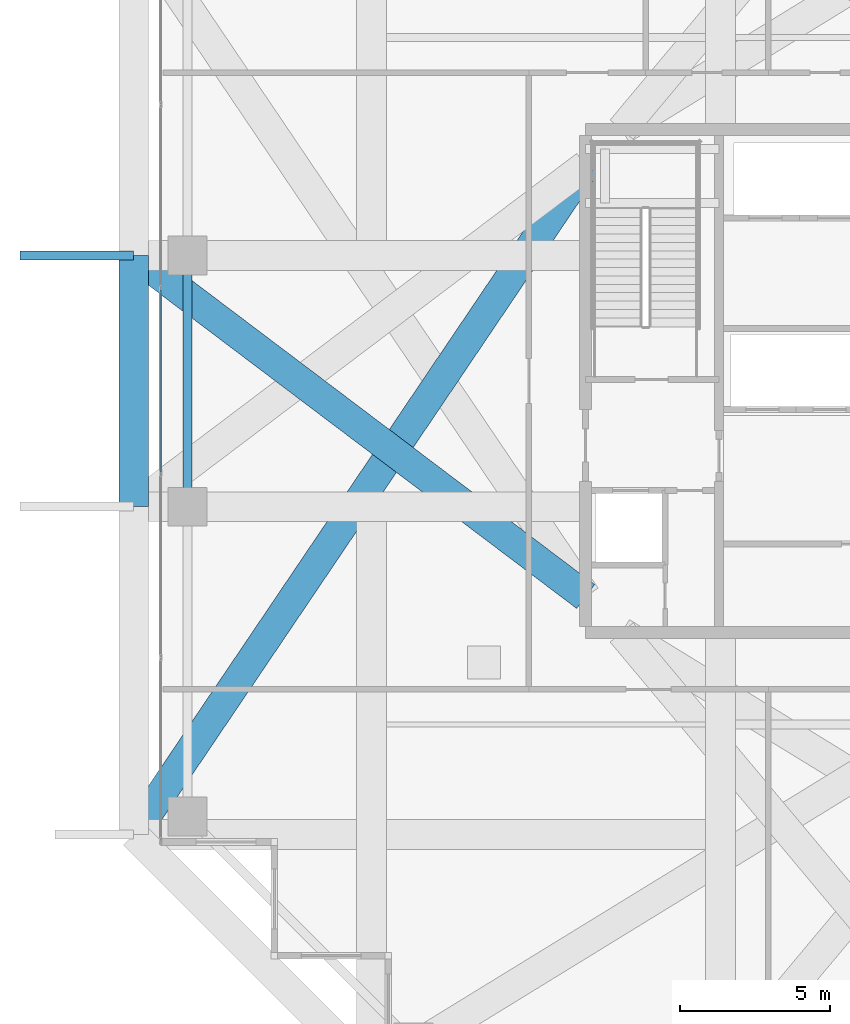
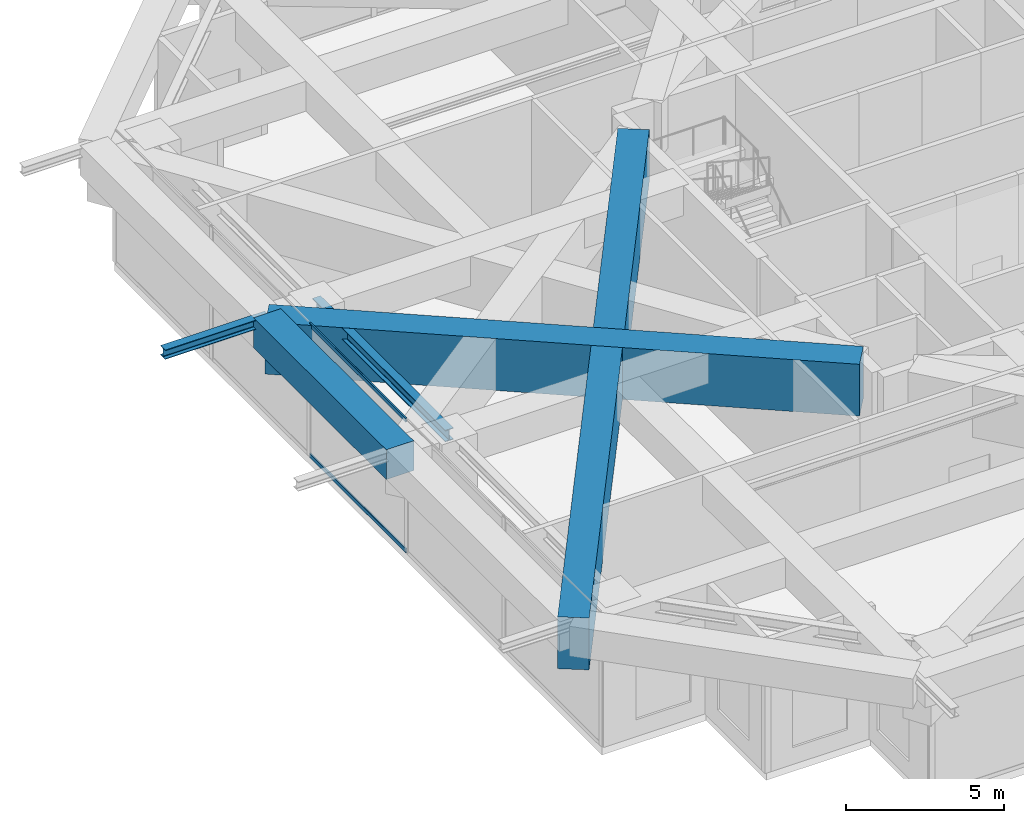
# One storey, part 8 of 38: 5 beams, 2 members, 1 element without a shape of its own.
"""IFC4 building model written with IfcOpenShell, lengths in metres."""

from ifc_helpers import new_model, si_unit, direction, frame, origin, origin_2d, place, context, subcontext, project, spatial, rectangle, hollow_rectangle, i_section, extrude, source, transform, mapped, material, layer, layer_set, material_profile, profile_set, type_object, element, aggregate, save


model = new_model("IFC4")

# Units and contexts
model_context = context("Model", 3, precision=1e-05, world=origin(), true_north=direction((0.0, 1.0)))
body_context = subcontext(model_context, "Body", "Model", "MODEL_VIEW")
ifc_project = project(units=[si_unit("LENGTHUNIT", "METRE"), si_unit("AREAUNIT", "SQUARE_METRE"), si_unit("VOLUMEUNIT", "CUBIC_METRE"), si_unit("PLANEANGLEUNIT", "RADIAN"), si_unit("MASSUNIT", "GRAM", prefix="KILO")], contexts=[model_context])

# Site, building, storey
site_placement = place(None, origin())
site = spatial("IfcSite", under=ifc_project, at=site_placement, CompositionType="ELEMENT")
building_placement = place(site_placement, origin())
building = spatial("IfcBuilding", under=site, at=building_placement, Name="Serunith Strait Residences", CompositionType="ELEMENT")
storey_placement = place(building_placement, frame((0.0, 0.0, 204.89990234375)))
storey = spatial("IfcBuildingStorey", under=building, at=storey_placement, Name="L51", CompositionType="ELEMENT", Elevation=204.89990234375)

# Beams
ifc_material_1 = material(Name="Steel S355J2", Category="steel")
ifc_material_profile_1 = material_profile(ifc_material_1, i_section(OverallWidth=0.300048828125, OverallDepth=0.449951171875, WebThickness=0.013916015625, FlangeThickness=0.02587890625, FilletRadius=0.027099609375, at=origin_2d()), Name="HEB 450")
ifc_profile_set_1 = profile_set([ifc_material_profile_1], Name="Steel S355J2")
beam_type_1 = type_object("IfcBeamType", Name="BM-HEB450", PredefinedType="BEAM", material=ifc_profile_set_1)
shared_shape_1 = source(origin(), body_context, "Body", "SweptSolid", [
    extrude(i_section(OverallWidth=0.300048828125, OverallDepth=0.449951171875, WebThickness=0.013916015625, FlangeThickness=0.02587890625, FilletRadius=0.027099609375, at=origin_2d()), origin(), (0.0, 0.0, 1.0), 8.39990234375),
])
beam_1_placement = place(storey_placement, frame((10.10009765625, 29.39990234375, 4.882080078125), z_axis=(0.0, -1.0, 0.0), x_axis=(1.0, 0.0, 0.0)))
element("IfcBeam", 1, at=beam_1_placement, inside=storey, type_object=beam_type_1, Name="L51 Perimeter Ring Beam 14", PredefinedType="BEAM", context=body_context, shape_type="MappedRepresentation", body=[
    mapped(shared_shape_1, transform((0.0, 0.0, 0.0), scale=1.0)),
])
ifc_material_2 = material(Name="Concrete C80/95", Category="concrete")
ifc_material_profile_2 = material_profile(ifc_material_2, rectangle(XDim=1.0, YDim=1.14990234375, at=origin_2d()), Name="RC 1000x1150")
ifc_profile_set_2 = profile_set([ifc_material_profile_2], Name="Concrete C80/95")
beam_type_2 = type_object("IfcBeamType", Name="BM-XFER-1000x1150", PredefinedType="BEAM", material=ifc_profile_set_2)
shared_shape_2 = source(origin(), body_context, "Body", "SweptSolid", [
    extrude(rectangle(XDim=1.0, YDim=1.14990234375, at=origin_2d()), origin(), (0.0, 0.0, 1.0), 8.39990234375),
])
beam_2_placement = place(storey_placement, frame((8.300048828125, 29.39990234375, 4.53515625), z_axis=(0.0, -1.0, 0.0), x_axis=(1.0, 0.0, 0.0)))
element("IfcBeam", 2, at=beam_2_placement, inside=storey, type_object=beam_type_2, Name="L51 Flare Upper Ring Transfer Girder 14", PredefinedType="BEAM", context=body_context, shape_type="MappedRepresentation", body=[
    mapped(shared_shape_2, transform((0.0, 0.0, 0.0), scale=1.0)),
])
ifc_material_profile_3 = material_profile(ifc_material_1, i_section(OverallWidth=0.300048828125, OverallDepth=0.360107421875, WebThickness=0.012451171875, FlangeThickness=0.0224609375, FilletRadius=0.027099609375, at=origin_2d()), Name="HEB 360")
ifc_profile_set_3 = profile_set([ifc_material_profile_3], Name="Steel S355J2")
beam_type_3 = type_object("IfcBeamType", Name="BM-HEB360", PredefinedType="BEAM", material=ifc_profile_set_3)
shared_shape_3 = source(origin(), body_context, "Body", "SweptSolid", [
    extrude(i_section(OverallWidth=0.300048828125, OverallDepth=0.360107421875, WebThickness=0.012451171875, FlangeThickness=0.0224609375, FilletRadius=0.027099609375, at=origin_2d()), origin(), (0.0, 0.0, 1.0), 3.800048828125),
])
beam_3_placement = place(storey_placement, frame((8.300048828125, 29.39990234375, 4.927001953125), z_axis=(-1.0, 0.0, 0.0), x_axis=(0.0, -1.0, 0.0)))
element("IfcBeam", 3, at=beam_3_placement, inside=storey, type_object=beam_type_3, Name="L52 Cantilevered Balcony Rib TC-W3", PredefinedType="BEAM", context=body_context, shape_type="MappedRepresentation", body=[
    mapped(shared_shape_3, transform((0.0, 0.0, 0.0), scale=1.0)),
])
ifc_material_profile_4 = material_profile(ifc_material_2, rectangle(XDim=1.0, YDim=2.0, at=origin_2d()), Name="RC 1000x2000")
ifc_profile_set_4 = profile_set([ifc_material_profile_4], Name="Concrete C80/95")
beam_type_4 = type_object("IfcBeamType", Name="BM-XFER-1000x2000", PredefinedType="BEAM", material=ifc_profile_set_4)
shared_shape_4 = source(origin(), body_context, "Body", "SweptSolid", [
    extrude(rectangle(XDim=1.0, YDim=2.0, at=origin_2d()), origin(), (0.0, 0.0, 1.0), 26.97265625),
])
beam_4_placement = place(storey_placement, frame((23.39990234375, 32.39990234375, 4.110107421875), z_axis=(-0.559821804239, -0.828613026387, 0.0), x_axis=(0.828613026387, -0.559821804239, 0.0)))
element("IfcBeam", 4, at=beam_4_placement, inside=storey, type_object=beam_type_4, Name="L51 Flare Transfer Girder TC-W1", PredefinedType="BEAM", context=body_context, shape_type="MappedRepresentation", body=[
    mapped(shared_shape_4, transform((0.0, 0.0, 0.0), scale=1.0)),
])
shared_shape_5 = source(origin(), body_context, "Body", "SweptSolid", [
    extrude(rectangle(XDim=1.0, YDim=2.0, at=origin_2d()), origin(), (0.0, 0.0, 1.0), 18.919921875),
])
beam_5_placement = place(storey_placement, frame((23.39990234375, 18.0, 4.110107421875), z_axis=(-0.798092909707, 0.602534403561, 0.0), x_axis=(-0.602534403561, -0.798092909707, 0.0)))
element("IfcBeam", 5, at=beam_5_placement, inside=storey, type_object=beam_type_4, Name="L51 Flare Transfer Girder TC-W3", PredefinedType="BEAM", context=body_context, shape_type="MappedRepresentation", body=[
    mapped(shared_shape_5, transform((0.0, 0.0, 0.0), scale=1.0)),
])

# Curtain wall, members
ifc_material_3 = material(Name="Pale-Silver PVDF Aluminium", Category="aluminium")
ifc_layer = layer(ifc_material_3, 0.199951171875, Name="Pale-Silver PVDF Aluminium")
ifc_layer_set = layer_set([ifc_layer], Name="Pale-Silver PVDF Aluminium")
curtain_wall_type = type_object("IfcCurtainWallType", Name="CW-SYS3", PredefinedType="NOTDEFINED", material=ifc_layer_set)
curtain_wall_placement = place(storey_placement, origin())
curtain_wall = element("IfcCurtainWall", 6, at=curtain_wall_placement, inside=storey, type_object=curtain_wall_type, Name="L51 W Unitised Fritted Curtain Wall", PredefinedType="NOTDEFINED")
ifc_material_profile_5 = material_profile(ifc_material_3, hollow_rectangle(XDim=0.06005859375, YDim=0.159912109375, WallThickness=0.00341796875, InnerFilletRadius=0.00537109375, OuterFilletRadius=0.0087890625, at=origin_2d()), Name="ALU 160x60x3.5")
ifc_profile_set_5 = profile_set([ifc_material_profile_5], Name="Pale-Silver PVDF Aluminium")
member_type = type_object("IfcMemberType", Name="CW-SYS3-TRAN", PredefinedType="USERDEFINED", material=ifc_profile_set_5)
shared_shape_6 = source(origin(), body_context, "Body", "SweptSolid", [
    extrude(hollow_rectangle(XDim=0.06005859375, YDim=0.159912109375, WallThickness=0.00341796875, InnerFilletRadius=0.00537109375, OuterFilletRadius=0.0087890625, at=origin_2d()), origin(), (0.0, 0.0, 1.0), 6.0849609375),
])
member_1_placement = place(storey_placement, frame((9.199951171875, 28.242431640625, 0.030029296875), z_axis=(0.0, -1.0, 0.0), x_axis=(1.0, 0.0, 0.0)))
member_1 = element("IfcMember", 7, at=member_1_placement, type_object=member_type, Name="CW-3 transom 3.1", ObjectType="TRANSOM", PredefinedType="USERDEFINED", context=body_context, shape_type="MappedRepresentation", body=[
    mapped(shared_shape_6, transform((0.0, 0.0, 0.0), scale=1.0)),
])
member_2_placement = place(storey_placement, frame((9.199951171875, 28.242431640625, 5.065185546875), z_axis=(0.0, -1.0, 0.0), x_axis=(1.0, 0.0, 0.0)))
member_2 = element("IfcMember", 8, at=member_2_placement, type_object=member_type, Name="CW-3 transom 3.2", ObjectType="TRANSOM", PredefinedType="USERDEFINED", context=body_context, shape_type="MappedRepresentation", body=[
    mapped(shared_shape_6, transform((0.0, 0.0, 0.0), scale=1.0)),
])
aggregate(curtain_wall, [member_1, member_2])

save(model, "model.ifc")
